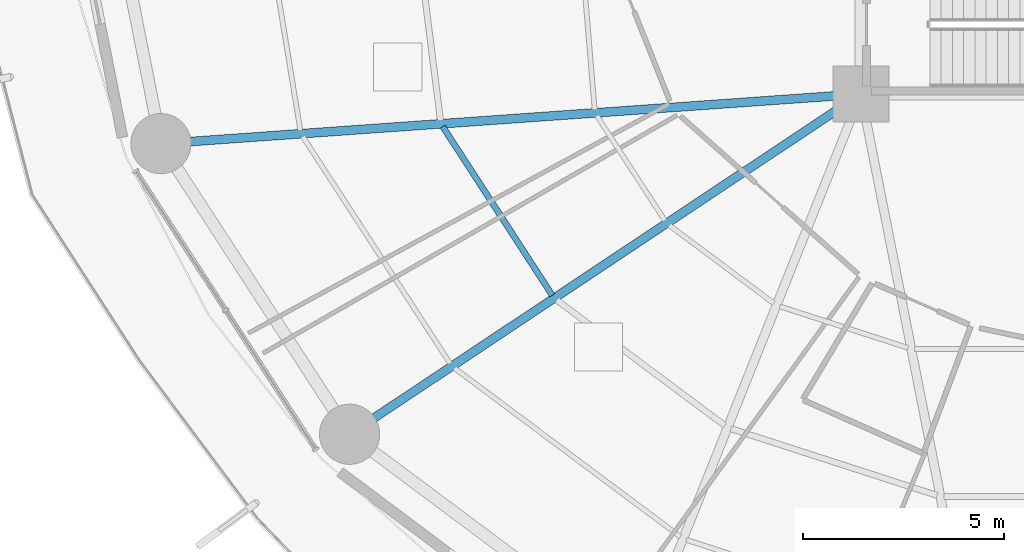
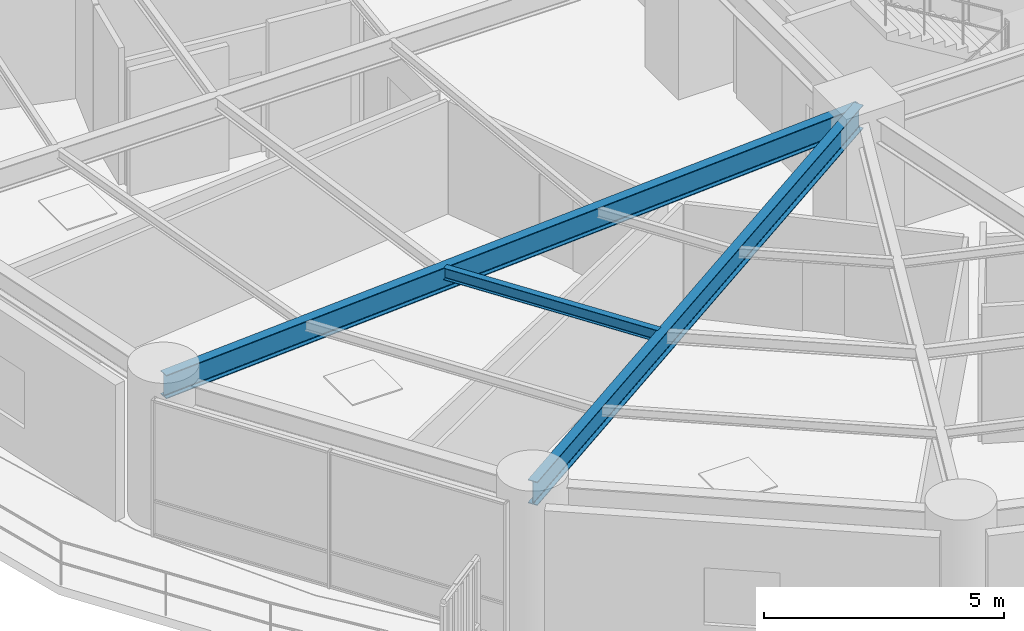
# One storey, part 5 of 32: 3 beams.
"""IFC4 building model written with IfcOpenShell, lengths in metres."""

from ifc_helpers import new_model, si_unit, direction, frame, origin, origin_2d, place, context, subcontext, project, spatial, i_section, extrude, material, material_profile, profile_set, type_object, element, save


model = new_model("IFC4")

# Units and contexts
model_context = context("Model", 3, precision=1e-05, world=origin(), true_north=direction((0.0, 1.0)))
body_context = subcontext(model_context, "Body", "Model", "MODEL_VIEW")
ifc_project = project(units=[si_unit("LENGTHUNIT", "METRE"), si_unit("AREAUNIT", "SQUARE_METRE"), si_unit("VOLUMEUNIT", "CUBIC_METRE"), si_unit("PLANEANGLEUNIT", "RADIAN"), si_unit("MASSUNIT", "GRAM", prefix="KILO")], contexts=[model_context])

# Site, building, storey
site_placement = place(None, origin())
site = spatial("IfcSite", under=ifc_project, at=site_placement, CompositionType="ELEMENT")
building_placement = place(site_placement, origin())
building = spatial("IfcBuilding", under=site, at=building_placement, Name="Kelanora Arch Commons", CompositionType="ELEMENT")
storey_placement = place(building_placement, frame((0.0, 0.0, 48.75)))
storey = spatial("IfcBuildingStorey", under=building, at=storey_placement, Name="L12", CompositionType="ELEMENT", Elevation=48.75)

# Beams
ifc_material = material(Name="Steel S355", Category="steel")
ifc_material_profile_1 = material_profile(ifc_material, i_section(OverallWidth=0.14990234375, OverallDepth=0.300048828125, WebThickness=0.007080078125, FlangeThickness=0.0107421875, FilletRadius=0.014892578125, at=origin_2d()), Name="IPE300")
ifc_profile_set_1 = profile_set([ifc_material_profile_1], Name="Steel S355")
beam_type_1 = type_object("IfcBeamType", Name="BM-JST-01", PredefinedType="JOIST", material=ifc_profile_set_1)
beam_1_placement = place(storey_placement, frame((55.578125, 50.187255859375, 3.340087890625), z_axis=(0.544551588245, -0.838727350061, 0.0), x_axis=(0.838727350061, 0.544551588245, 0.0)))
element("IfcBeam", 1, at=beam_1_placement, inside=storey, type_object=beam_type_1, Name="Secondary Chord Joist BJB-20 L12", PredefinedType="JOIST", context=body_context, shape_type="SweptSolid", body=[
    extrude(i_section(OverallWidth=0.14990234375, OverallDepth=0.300048828125, WebThickness=0.007080078125, FlangeThickness=0.0107421875, FilletRadius=0.014892578125, at=origin_2d()), origin(), (0.0, 0.0, 1.0), 5.010986328125),
])
ifc_material_profile_2 = material_profile(ifc_material, i_section(OverallWidth=0.219970703125, OverallDepth=0.60009765625, WebThickness=0.011962890625, FlangeThickness=0.01904296875, FilletRadius=0.02392578125, at=origin_2d()), Name="IPE600")
ifc_profile_set_2 = profile_set([ifc_material_profile_2], Name="Steel S355")
beam_type_2 = type_object("IfcBeamType", Name="BM-RAD-Z1", PredefinedType="BEAM", material=ifc_profile_set_2)
beam_2_placement = place(storey_placement, frame((66.0, 51.0, 3.18994140625), z_axis=(-0.997500683472, -0.070656821848, 0.0), x_axis=(0.070656821848, -0.997500683472, 0.0)))
element("IfcBeam", 2, at=beam_2_placement, inside=storey, type_object=beam_type_2, Name="Radial Floor Girder BR-20 L12", PredefinedType="BEAM", context=body_context, shape_type="SweptSolid", body=[
    extrude(i_section(OverallWidth=0.219970703125, OverallDepth=0.60009765625, WebThickness=0.011962890625, FlangeThickness=0.01904296875, FilletRadius=0.02392578125, at=origin_2d()), origin(), (0.0, 0.0, 1.0), 17.49072265625),
])
beam_3_placement = place(storey_placement, frame((66.0, 51.0, 3.18994140625), z_axis=(-0.832592187754, -0.553886494591, 0.0), x_axis=(0.553886494591, -0.832592187754, 0.0)))
element("IfcBeam", 3, at=beam_3_placement, inside=storey, type_object=beam_type_2, Name="Radial Floor Girder BR-22 L12", PredefinedType="BEAM", context=body_context, shape_type="SweptSolid", body=[
    extrude(i_section(OverallWidth=0.219970703125, OverallDepth=0.60009765625, WebThickness=0.011962890625, FlangeThickness=0.01904296875, FilletRadius=0.02392578125, at=origin_2d()), origin(), (0.0, 0.0, 1.0), 15.306884765625),
])

save(model, "model.ifc")
